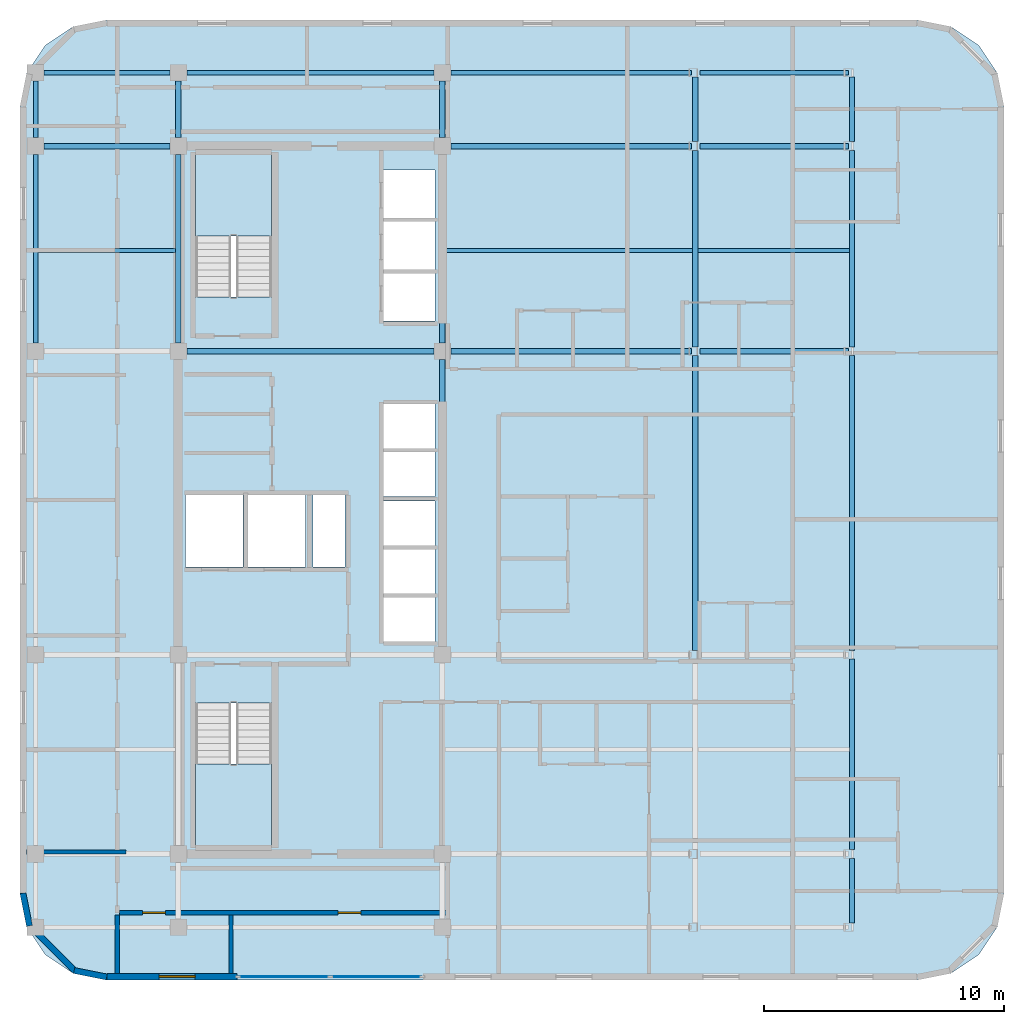
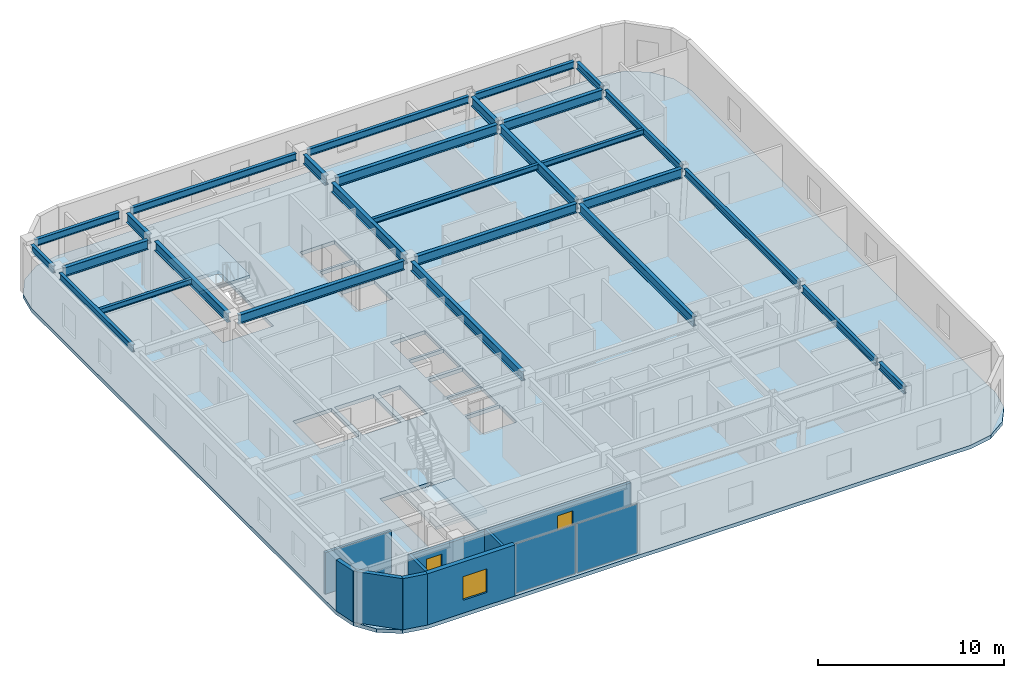
# One storey, part 3 of 9: 28 beams, 8 walls, 3 slabs, 2 doors, 2 plates, 1 window, 3 openings, 3 elements without a shape of their own.
"""IFC4 building model written with IfcOpenShell, lengths in metres."""

from ifc_helpers import new_model, si_unit, direction, frame, frame_2d, origin, origin_2d, place, context, subcontext, project, spatial, polyline, rectangle, i_section, outline, extrude, material, layer, layer_set, material_profile, profile_set, type_object, element, fill, aggregate, save


model = new_model("IFC4")

# Units and contexts
model_context = context("Model", 3, precision=1e-05, world=origin(), true_north=direction((0.0, 1.0)))
body_context = subcontext(model_context, "Body", "Model", "MODEL_VIEW")
ifc_project = project(units=[si_unit("LENGTHUNIT", "METRE"), si_unit("AREAUNIT", "SQUARE_METRE"), si_unit("VOLUMEUNIT", "CUBIC_METRE"), si_unit("PLANEANGLEUNIT", "RADIAN"), si_unit("MASSUNIT", "GRAM", prefix="KILO")], contexts=[model_context])

# Site, building, storey
site_placement = place(None, origin())
site = spatial("IfcSite", under=ifc_project, at=site_placement, CompositionType="ELEMENT")
building_placement = place(site_placement, origin())
building = spatial("IfcBuilding", under=site, at=building_placement, Name="Ochreholt Gables", CompositionType="ELEMENT")
storey_placement = place(building_placement, frame((0.0, 0.0, 162.60009765625)))
storey = spatial("IfcBuildingStorey", under=building, at=storey_placement, Name="L42", CompositionType="ELEMENT", Elevation=162.60009765625)

# Beams
ifc_material_1 = material(Name="Steel CSA G40.21 350W", Category="steel")
ifc_material_profile_1 = material_profile(ifc_material_1, i_section(OverallWidth=0.22900390625, OverallDepth=0.612060546875, WebThickness=0.011962890625, FlangeThickness=0.01953125, at=origin_2d()), Name="W610X125")
ifc_profile_set_1 = profile_set([ifc_material_profile_1], Name="Steel CSA G40.21 350W")
beam_type_1 = type_object("IfcBeamType", Name="BM-G-W610B", PredefinedType="BEAM", material=ifc_profile_set_1)
beam_1_placement = place(storey_placement, frame((24.549560546875, 30.199951171875, 3.053955078125), z_axis=(1.0, 0.0, 0.0), x_axis=(0.0, 1.0, 0.0)))
element("IfcBeam", 1, at=beam_1_placement, inside=storey, type_object=beam_type_1, Name="L42 Beam TBG-L42-C1C2-Y4", PredefinedType="BEAM", context=body_context, shape_type="SweptSolid", body=[
    extrude(i_section(OverallWidth=0.22900390625, OverallDepth=0.612060546875, WebThickness=0.011962890625, FlangeThickness=0.01953125, at=origin_2d()), origin(), (0.0, 0.0, 1.0), 10.30078125),
])
beam_2_placement = place(storey_placement, frame((35.549560546875, 30.199951171875, 3.053955078125), z_axis=(1.0, 0.0, 0.0), x_axis=(0.0, 1.0, 0.0)))
element("IfcBeam", 2, at=beam_2_placement, inside=storey, type_object=beam_type_1, Name="L42 Beam TBG-L42-C2EM-Y4", PredefinedType="BEAM", context=body_context, shape_type="SweptSolid", body=[
    extrude(i_section(OverallWidth=0.22900390625, OverallDepth=0.612060546875, WebThickness=0.011962890625, FlangeThickness=0.01953125, at=origin_2d()), origin(), (0.0, 0.0, 1.0), 10.02587890625),
])
beam_3_placement = place(storey_placement, frame((45.9306640625, 30.199951171875, 3.053955078125), z_axis=(1.0, 0.0, 0.0), x_axis=(0.0, 1.0, 0.0)))
element("IfcBeam", 3, at=beam_3_placement, inside=storey, type_object=beam_type_1, Name="L42 Beam TBG-L42-EMEE-Y4", PredefinedType="BEAM", context=body_context, shape_type="SweptSolid", body=[
    extrude(i_section(OverallWidth=0.22900390625, OverallDepth=0.612060546875, WebThickness=0.011962890625, FlangeThickness=0.01953125, at=origin_2d()), origin(), (0.0, 0.0, 1.0), 6.188232421875),
])
beam_4_placement = place(storey_placement, frame((18.599609375, 38.75, 3.053955078125), z_axis=(1.0, 0.0, 0.0), x_axis=(0.0, 1.0, 0.0)))
element("IfcBeam", 4, at=beam_4_placement, inside=storey, type_object=beam_type_1, Name="L42 Beam TBG-L42-W3C1-Y5", PredefinedType="BEAM", context=body_context, shape_type="SweptSolid", body=[
    extrude(i_section(OverallWidth=0.22900390625, OverallDepth=0.612060546875, WebThickness=0.011962890625, FlangeThickness=0.01953125, at=origin_2d()), origin(), (0.0, 0.0, 1.0), 5.250732421875),
])
beam_5_placement = place(storey_placement, frame((35.549560546875, 38.75, 3.053955078125), z_axis=(1.0, 0.0, 0.0), x_axis=(0.0, 1.0, 0.0)))
element("IfcBeam", 5, at=beam_5_placement, inside=storey, type_object=beam_type_1, Name="L42 Beam TBG-L42-C2EM-Y5", PredefinedType="BEAM", context=body_context, shape_type="SweptSolid", body=[
    extrude(i_section(OverallWidth=0.22900390625, OverallDepth=0.612060546875, WebThickness=0.011962890625, FlangeThickness=0.01953125, at=origin_2d()), origin(), (0.0, 0.0, 1.0), 10.02587890625),
])
beam_6_placement = place(storey_placement, frame((45.9306640625, 38.75, 3.053955078125), z_axis=(1.0, 0.0, 0.0), x_axis=(0.0, 1.0, 0.0)))
element("IfcBeam", 6, at=beam_6_placement, inside=storey, type_object=beam_type_1, Name="L42 Beam TBG-L42-EMEE-Y5", PredefinedType="BEAM", context=body_context, shape_type="SweptSolid", body=[
    extrude(i_section(OverallWidth=0.22900390625, OverallDepth=0.612060546875, WebThickness=0.011962890625, FlangeThickness=0.01953125, at=origin_2d()), origin(), (0.0, 0.0, 1.0), 6.188232421875),
])
beam_7_placement = place(storey_placement, frame((24.199951171875, 30.549560546875, 3.053955078125), z_axis=(0.0, 1.0, 0.0), x_axis=(-1.0, 0.0, 0.0)))
element("IfcBeam", 7, at=beam_7_placement, inside=storey, type_object=beam_type_1, Name="L42 Beam TBN-L42-C1-Y4Y5", PredefinedType="BEAM", context=body_context, shape_type="SweptSolid", body=[
    extrude(i_section(OverallWidth=0.22900390625, OverallDepth=0.612060546875, WebThickness=0.011962890625, FlangeThickness=0.01953125, at=origin_2d()), origin(), (0.0, 0.0, 1.0), 7.850830078125),
])
beam_8_placement = place(storey_placement, frame((24.199951171875, 39.099609375, 3.053955078125), z_axis=(0.0, 1.0, 0.0), x_axis=(-1.0, 0.0, 0.0)))
element("IfcBeam", 8, at=beam_8_placement, inside=storey, type_object=beam_type_1, Name="L42 Beam TBN-L42-C1-Y5Y6", PredefinedType="BEAM", context=body_context, shape_type="SweptSolid", body=[
    extrude(i_section(OverallWidth=0.22900390625, OverallDepth=0.612060546875, WebThickness=0.011962890625, FlangeThickness=0.01953125, at=origin_2d()), origin(), (0.0, 0.0, 1.0), 2.350830078125),
])
beam_9_placement = place(storey_placement, frame((35.199951171875, 17.899658203125, 3.053955078125), z_axis=(0.0, 1.0, 0.0), x_axis=(-1.0, 0.0, 0.0)))
element("IfcBeam", 9, at=beam_9_placement, inside=storey, type_object=beam_type_1, Name="L42 Beam TBN-L42-C2-Y3Y4", PredefinedType="BEAM", context=body_context, shape_type="SweptSolid", body=[
    extrude(i_section(OverallWidth=0.22900390625, OverallDepth=0.612060546875, WebThickness=0.011962890625, FlangeThickness=0.01953125, at=origin_2d()), origin(), (0.0, 0.0, 1.0), 11.95068359375),
])
beam_10_placement = place(storey_placement, frame((35.199951171875, 30.549560546875, 3.053955078125), z_axis=(0.0, 1.0, 0.0), x_axis=(-1.0, 0.0, 0.0)))
element("IfcBeam", 10, at=beam_10_placement, inside=storey, type_object=beam_type_1, Name="L42 Beam TBN-L42-C2-Y4Y5", PredefinedType="BEAM", context=body_context, shape_type="SweptSolid", body=[
    extrude(i_section(OverallWidth=0.22900390625, OverallDepth=0.612060546875, WebThickness=0.011962890625, FlangeThickness=0.01953125, at=origin_2d()), origin(), (0.0, 0.0, 1.0), 7.850830078125),
])
beam_11_placement = place(storey_placement, frame((35.199951171875, 39.099609375, 3.053955078125), z_axis=(0.0, 1.0, 0.0), x_axis=(-1.0, 0.0, 0.0)))
element("IfcBeam", 11, at=beam_11_placement, inside=storey, type_object=beam_type_1, Name="L42 Beam TBN-L42-C2-Y5Y6", PredefinedType="BEAM", context=body_context, shape_type="SweptSolid", body=[
    extrude(i_section(OverallWidth=0.22900390625, OverallDepth=0.612060546875, WebThickness=0.011962890625, FlangeThickness=0.01953125, at=origin_2d()), origin(), (0.0, 0.0, 1.0), 2.350830078125),
])
beam_12_placement = place(storey_placement, frame((45.73583984375, 17.7275390625, 3.053955078125), z_axis=(0.0, 1.0, 0.0), x_axis=(-1.0, 0.0, 0.0)))
element("IfcBeam", 12, at=beam_12_placement, inside=storey, type_object=beam_type_1, Name="L42 Beam TBN-L42-EM-Y3Y4", PredefinedType="BEAM", context=body_context, shape_type="SweptSolid", body=[
    extrude(i_section(OverallWidth=0.22900390625, OverallDepth=0.612060546875, WebThickness=0.011962890625, FlangeThickness=0.01953125, at=origin_2d()), origin(), (0.0, 0.0, 1.0), 12.294921875),
])
beam_13_placement = place(storey_placement, frame((45.73583984375, 30.377685546875, 3.053955078125), z_axis=(0.0, 1.0, 0.0), x_axis=(-1.0, 0.0, 0.0)))
element("IfcBeam", 13, at=beam_13_placement, inside=storey, type_object=beam_type_1, Name="L42 Beam TBN-L42-EM-Y4Y5", PredefinedType="BEAM", context=body_context, shape_type="SweptSolid", body=[
    extrude(i_section(OverallWidth=0.22900390625, OverallDepth=0.612060546875, WebThickness=0.011962890625, FlangeThickness=0.01953125, at=origin_2d()), origin(), (0.0, 0.0, 1.0), 8.19482421875),
])
beam_14_placement = place(storey_placement, frame((45.73583984375, 38.927490234375, 3.053955078125), z_axis=(0.0, 1.0, 0.0), x_axis=(-1.0, 0.0, 0.0)))
element("IfcBeam", 14, at=beam_14_placement, inside=storey, type_object=beam_type_1, Name="L42 Beam TBN-L42-EM-Y5Y6", PredefinedType="BEAM", context=body_context, shape_type="SweptSolid", body=[
    extrude(i_section(OverallWidth=0.22900390625, OverallDepth=0.612060546875, WebThickness=0.011962890625, FlangeThickness=0.01953125, at=origin_2d()), origin(), (0.0, 0.0, 1.0), 2.69482421875),
])
ifc_material_profile_2 = material_profile(ifc_material_1, i_section(OverallWidth=0.172119140625, OverallDepth=0.35791015625, WebThickness=0.0078125, FlangeThickness=0.01318359375, at=origin_2d()), Name="W360X57")
ifc_profile_set_2 = profile_set([ifc_material_profile_2], Name="Steel CSA G40.21 350W")
beam_type_2 = type_object("IfcBeamType", Name="BM-J-W360B", PredefinedType="JOIST", material=ifc_profile_set_2)
beam_15_placement = place(storey_placement, frame((18.345703125, 34.39990234375, 3.180908203125), z_axis=(1.0, 0.0, 0.0), x_axis=(0.0, 1.0, 0.0)))
element("IfcBeam", 15, at=beam_15_placement, inside=storey, type_object=beam_type_2, Name="L42 Beam TBJ-L42-J2-W3C1", PredefinedType="JOIST", context=body_context, shape_type="SweptSolid", body=[
    extrude(i_section(OverallWidth=0.172119140625, OverallDepth=0.35791015625, WebThickness=0.0078125, FlangeThickness=0.01318359375, at=origin_2d()), origin(), (0.0, 0.0, 1.0), 5.740234375),
])
beam_16_placement = place(storey_placement, frame((35.314208984375, 34.39990234375, 3.180908203125), z_axis=(1.0, 0.0, 0.0), x_axis=(0.0, 1.0, 0.0)))
element("IfcBeam", 16, at=beam_16_placement, inside=storey, type_object=beam_type_2, Name="L42 Beam TBJ-L42-J2-C2EM", PredefinedType="JOIST", context=body_context, shape_type="SweptSolid", body=[
    extrude(i_section(OverallWidth=0.172119140625, OverallDepth=0.35791015625, WebThickness=0.0078125, FlangeThickness=0.01318359375, at=origin_2d()), origin(), (0.0, 0.0, 1.0), 10.307373046875),
])
beam_17_placement = place(storey_placement, frame((45.849853515625, 34.39990234375, 3.180908203125), z_axis=(1.0, 0.0, 0.0), x_axis=(0.0, 1.0, 0.0)))
element("IfcBeam", 17, at=beam_17_placement, inside=storey, type_object=beam_type_2, Name="L42 Beam TBJ-L42-J2-EMEE", PredefinedType="JOIST", context=body_context, shape_type="SweptSolid", body=[
    extrude(i_section(OverallWidth=0.172119140625, OverallDepth=0.35791015625, WebThickness=0.0078125, FlangeThickness=0.01318359375, at=origin_2d()), origin(), (0.0, 0.0, 1.0), 6.322509765625),
])
ifc_material_profile_3 = material_profile(ifc_material_1, i_section(OverallWidth=0.19189453125, OverallDepth=0.462890625, WebThickness=0.010498046875, FlangeThickness=0.017578125, at=origin_2d()), Name="W460X89")
ifc_profile_set_3 = profile_set([ifc_material_profile_3], Name="Steel CSA G40.21 350W")
beam_type_3 = type_object("IfcBeamType", Name="BM-SP-W460A", PredefinedType="SPANDREL", material=ifc_profile_set_3)
beam_18_placement = place(storey_placement, frame((18.599609375, 41.800048828125, 3.12841796875), z_axis=(1.0, 0.0, 0.0), x_axis=(0.0, 1.0, 0.0)))
element("IfcBeam", 18, at=beam_18_placement, inside=storey, type_object=beam_type_3, Name="L42 Beam TBG-L42-W3C1-Y6", PredefinedType="SPANDREL", context=body_context, shape_type="SweptSolid", body=[
    extrude(i_section(OverallWidth=0.19189453125, OverallDepth=0.462890625, WebThickness=0.010498046875, FlangeThickness=0.017578125, at=origin_2d()), origin(), (0.0, 0.0, 1.0), 5.250732421875),
])
beam_19_placement = place(storey_placement, frame((24.549560546875, 41.800048828125, 3.12841796875), z_axis=(1.0, 0.0, 0.0), x_axis=(0.0, 1.0, 0.0)))
element("IfcBeam", 19, at=beam_19_placement, inside=storey, type_object=beam_type_3, Name="L42 Beam TBG-L42-C1C2-Y6", PredefinedType="SPANDREL", context=body_context, shape_type="SweptSolid", body=[
    extrude(i_section(OverallWidth=0.19189453125, OverallDepth=0.462890625, WebThickness=0.010498046875, FlangeThickness=0.017578125, at=origin_2d()), origin(), (0.0, 0.0, 1.0), 10.30078125),
])
beam_20_placement = place(storey_placement, frame((35.549560546875, 41.800048828125, 3.12841796875), z_axis=(1.0, 0.0, 0.0), x_axis=(0.0, 1.0, 0.0)))
element("IfcBeam", 20, at=beam_20_placement, inside=storey, type_object=beam_type_3, Name="L42 Beam TBG-L42-C2EM-Y6", PredefinedType="SPANDREL", context=body_context, shape_type="SweptSolid", body=[
    extrude(i_section(OverallWidth=0.19189453125, OverallDepth=0.462890625, WebThickness=0.010498046875, FlangeThickness=0.017578125, at=origin_2d()), origin(), (0.0, 0.0, 1.0), 10.02587890625),
])
beam_21_placement = place(storey_placement, frame((45.9306640625, 41.800048828125, 3.12841796875), z_axis=(1.0, 0.0, 0.0), x_axis=(0.0, 1.0, 0.0)))
element("IfcBeam", 21, at=beam_21_placement, inside=storey, type_object=beam_type_3, Name="L42 Beam TBG-L42-EMEE-Y6", PredefinedType="SPANDREL", context=body_context, shape_type="SweptSolid", body=[
    extrude(i_section(OverallWidth=0.19189453125, OverallDepth=0.462890625, WebThickness=0.010498046875, FlangeThickness=0.017578125, at=origin_2d()), origin(), (0.0, 0.0, 1.0), 6.188232421875),
])
beam_22_placement = place(storey_placement, frame((18.25, 30.549560546875, 3.12841796875), z_axis=(0.0, 1.0, 0.0), x_axis=(-1.0, 0.0, 0.0)))
element("IfcBeam", 22, at=beam_22_placement, inside=storey, type_object=beam_type_3, Name="L42 Beam TBN-L42-W3-Y4Y5", PredefinedType="SPANDREL", context=body_context, shape_type="SweptSolid", body=[
    extrude(i_section(OverallWidth=0.19189453125, OverallDepth=0.462890625, WebThickness=0.010498046875, FlangeThickness=0.017578125, at=origin_2d()), origin(), (0.0, 0.0, 1.0), 7.850830078125),
])
beam_23_placement = place(storey_placement, frame((18.25, 39.099609375, 3.12841796875), z_axis=(0.0, 1.0, 0.0), x_axis=(-1.0, 0.0, 0.0)))
element("IfcBeam", 23, at=beam_23_placement, inside=storey, type_object=beam_type_3, Name="L42 Beam TBN-L42-W3-Y5Y6", PredefinedType="SPANDREL", context=body_context, shape_type="SweptSolid", body=[
    extrude(i_section(OverallWidth=0.19189453125, OverallDepth=0.462890625, WebThickness=0.010498046875, FlangeThickness=0.017578125, at=origin_2d()), origin(), (0.0, 0.0, 1.0), 2.350830078125),
])
beam_24_placement = place(storey_placement, frame((52.26806640625, 6.377685546875, 3.12841796875), z_axis=(0.0, 1.0, 0.0), x_axis=(-1.0, 0.0, 0.0)))
element("IfcBeam", 24, at=beam_24_placement, inside=storey, type_object=beam_type_3, Name="L42 Beam TBN-L42-EE-Y1Y2", PredefinedType="SPANDREL", context=body_context, shape_type="SweptSolid", body=[
    extrude(i_section(OverallWidth=0.19189453125, OverallDepth=0.462890625, WebThickness=0.010498046875, FlangeThickness=0.017578125, at=origin_2d()), origin(), (0.0, 0.0, 1.0), 2.69482421875),
])
beam_25_placement = place(storey_placement, frame((52.26806640625, 9.427490234375, 3.12841796875), z_axis=(0.0, 1.0, 0.0), x_axis=(-1.0, 0.0, 0.0)))
element("IfcBeam", 25, at=beam_25_placement, inside=storey, type_object=beam_type_3, Name="L42 Beam TBN-L42-EE-Y2Y3", PredefinedType="SPANDREL", context=body_context, shape_type="SweptSolid", body=[
    extrude(i_section(OverallWidth=0.19189453125, OverallDepth=0.462890625, WebThickness=0.010498046875, FlangeThickness=0.017578125, at=origin_2d()), origin(), (0.0, 0.0, 1.0), 7.94482421875),
])
beam_26_placement = place(storey_placement, frame((52.26806640625, 17.7275390625, 3.12841796875), z_axis=(0.0, 1.0, 0.0), x_axis=(-1.0, 0.0, 0.0)))
element("IfcBeam", 26, at=beam_26_placement, inside=storey, type_object=beam_type_3, Name="L42 Beam TBN-L42-EE-Y3Y4", PredefinedType="SPANDREL", context=body_context, shape_type="SweptSolid", body=[
    extrude(i_section(OverallWidth=0.19189453125, OverallDepth=0.462890625, WebThickness=0.010498046875, FlangeThickness=0.017578125, at=origin_2d()), origin(), (0.0, 0.0, 1.0), 12.294921875),
])
beam_27_placement = place(storey_placement, frame((52.26806640625, 30.377685546875, 3.12841796875), z_axis=(0.0, 1.0, 0.0), x_axis=(-1.0, 0.0, 0.0)))
element("IfcBeam", 27, at=beam_27_placement, inside=storey, type_object=beam_type_3, Name="L42 Beam TBN-L42-EE-Y4Y5", PredefinedType="SPANDREL", context=body_context, shape_type="SweptSolid", body=[
    extrude(i_section(OverallWidth=0.19189453125, OverallDepth=0.462890625, WebThickness=0.010498046875, FlangeThickness=0.017578125, at=origin_2d()), origin(), (0.0, 0.0, 1.0), 8.19482421875),
])
beam_28_placement = place(storey_placement, frame((52.26806640625, 38.927490234375, 3.12841796875), z_axis=(0.0, 1.0, 0.0), x_axis=(-1.0, 0.0, 0.0)))
element("IfcBeam", 28, at=beam_28_placement, inside=storey, type_object=beam_type_3, Name="L42 Beam TBN-L42-EE-Y5Y6", PredefinedType="SPANDREL", context=body_context, shape_type="SweptSolid", body=[
    extrude(i_section(OverallWidth=0.19189453125, OverallDepth=0.462890625, WebThickness=0.010498046875, FlangeThickness=0.017578125, at=origin_2d()), origin(), (0.0, 0.0, 1.0), 2.69482421875),
])

# Curtain wall, plates
ifc_material_2 = material(Name="Unitised Aluminium and Triple Glazing", Category="aluminium")
ifc_layer_1 = layer(ifc_material_2, 0.199951171875, Name="Unitised Aluminium and Triple Glazing")
ifc_layer_set_1 = layer_set([ifc_layer_1], Name="Unitised Aluminium and Triple Glazing")
curtain_wall_type = type_object("IfcCurtainWallType", Name="CW-SYS4", PredefinedType="NOTDEFINED", material=ifc_layer_set_1)
curtain_wall_placement = place(storey_placement, origin())
curtain_wall = element("IfcCurtainWall", 29, at=curtain_wall_placement, inside=storey, type_object=curtain_wall_type, Name="L42 South Unitised Curtain Wall", PredefinedType="NOTDEFINED")
ifc_material_3 = material(Name="Triple Low-E Insulating Glass", Category="glass")
ifc_layer_2 = layer(ifc_material_3, 0.035888671875, Name="Triple Low-E Insulating Glass")
ifc_layer_set_2 = layer_set([ifc_layer_2], Name="Triple Low-E Insulating Glass")
plate_type = type_object("IfcPlateType", Name="CW-PNL-36", PredefinedType="CURTAIN_PANEL", material=ifc_layer_set_2)
plate_1_placement = place(storey_placement, frame((28.606201171875, 4.139892578125, 0.06494140625), z_axis=(0.0, 0.0, 1.0), x_axis=(1.0, 0.0, 0.0)))
plate_1 = element("IfcPlate", 30, at=plate_1_placement, type_object=plate_type, Name="CW-4 panel 1.1", PredefinedType="CURTAIN_PANEL", context=body_context, shape_type="SweptSolid", body=[
    extrude(rectangle(XDim=3.762451171875, YDim=0.035888671875, at=origin_2d()), origin(), (0.0, 0.0, 1.0), 3.22998046875),
])
plate_2_placement = place(storey_placement, frame((32.44384765625, 4.139892578125, 0.06494140625), z_axis=(0.0, 0.0, 1.0), x_axis=(1.0, 0.0, 0.0)))
plate_2 = element("IfcPlate", 31, at=plate_2_placement, type_object=plate_type, Name="CW-4 panel 2.1", PredefinedType="CURTAIN_PANEL", context=body_context, shape_type="SweptSolid", body=[
    extrude(rectangle(XDim=3.762451171875, YDim=0.035888671875, at=origin_2d()), origin(), (0.0, 0.0, 1.0), 3.22998046875),
])
aggregate(curtain_wall, [plate_1, plate_2])

# Stair, slab
ifc_material_4 = material(Name="Concrete 40 MPa", Category="concrete")
stair_type_1 = type_object("IfcStairType", Name="STAIR-CORE-ST-1", PredefinedType="HALF_TURN_STAIR", material=ifc_material_4)
stair_1_placement = place(storey_placement, origin())
stair_1 = element("IfcStair", 32, at=stair_1_placement, inside=storey, type_object=stair_type_1, Name="L42 Core Exit Stair 1", PredefinedType="HALF_TURN_STAIR")
ifc_layer_3 = layer(ifc_material_4, 0.199951171875, Name="Concrete 40 MPa")
ifc_layer_set_3 = layer_set([ifc_layer_3], Name="Concrete 40 MPa")
slab_type_1 = type_object("IfcSlabType", Name="LANDING-RC200", PredefinedType="LANDING", material=ifc_layer_set_3)
slab_1_placement = place(storey_placement, frame((0.0, 0.0, 1.599853515625)))
slab_1 = element("IfcSlab", 33, at=slab_1_placement, type_object=slab_type_1, Name="ST-1 landing 1", PredefinedType="LANDING", context=body_context, shape_type="SweptSolid", body=[
    extrude(outline(polyline([(24.919921875, 13.001953125), (24.919921875, 9.52001953125), (28.080078125, 9.52001953125), (28.080078125, 13.001953125), (24.919921875, 13.001953125)])), origin(), (0.0, 0.0, 1.0), 0.199951171875),
])
aggregate(stair_1, [slab_1])

stair_type_2 = type_object("IfcStairType", Name="STAIR-CORE-ST-2", PredefinedType="HALF_TURN_STAIR", material=ifc_material_4)
stair_2_placement = place(storey_placement, origin())
stair_2 = element("IfcStair", 34, at=stair_2_placement, inside=storey, type_object=stair_type_2, Name="L42 Core Exit Stair 2", PredefinedType="HALF_TURN_STAIR")
slab_2_placement = place(storey_placement, frame((0.0, 0.0, 1.599853515625)))
slab_2 = element("IfcSlab", 35, at=slab_2_placement, type_object=slab_type_1, Name="ST-2 landing 1", PredefinedType="LANDING", context=body_context, shape_type="SweptSolid", body=[
    extrude(outline(polyline([(28.080078125, 34.998046875), (28.080078125, 38.47998046875), (24.919921875, 38.47998046875), (24.919921875, 34.998046875), (28.080078125, 34.998046875)])), origin(), (0.0, 0.0, 1.0), 0.199951171875),
])
aggregate(stair_2, [slab_2])

# Slab
ifc_layer_4 = layer(ifc_material_4, 0.239990234375, Name="Concrete 40 MPa")
ifc_layer_set_4 = layer_set([ifc_layer_4], Name="Concrete 40 MPa")
slab_type_2 = type_object("IfcSlabType", Name="SLAB-TWR-240", PredefinedType="FLOOR", material=ifc_layer_set_4)
slab_3_placement = place(storey_placement, frame((0.0, 0.0, -0.239990234375)))
element("IfcSlab", 36, at=slab_3_placement, inside=storey, type_object=slab_type_2, Name="L42 Structural Floor Slab", PredefinedType="FLOOR", context=body_context, shape_type="SweptSolid", body=[
    extrude(outline(polyline([(17.60009765625, 7.60009765625), (17.8740234375, 6.222412109375), (18.654296875, 5.054443359375), (19.822265625, 4.27392578125), (21.199951171875, 4.0), (55.0, 4.0), (56.377685546875, 4.27392578125), (57.545654296875, 5.054443359375), (58.325927734375, 6.222412109375), (58.60009765625, 7.60009765625), (58.60009765625, 40.39990234375), (58.325927734375, 41.777587890625), (57.545654296875, 42.945556640625), (56.377685546875, 43.72607421875), (55.0, 44.0), (21.199951171875, 44.0), (19.822265625, 43.72607421875), (18.654296875, 42.945556640625), (17.8740234375, 41.777587890625), (17.60009765625, 40.39990234375), (17.60009765625, 7.60009765625)]), holes=[polyline([(24.919921875, 15.539306640625), (24.919921875, 9.52001953125), (28.080078125, 9.52001953125), (28.080078125, 15.539306640625), (24.919921875, 15.539306640625)]), polyline([(28.080078125, 32.460693359375), (28.080078125, 38.47998046875), (24.919921875, 38.47998046875), (24.919921875, 32.460693359375), (28.080078125, 32.460693359375)]), polyline([(24.5, 21.199951171875), (26.89990234375, 21.199951171875), (26.89990234375, 24.199951171875), (24.5, 24.199951171875), (24.5, 21.199951171875)]), polyline([(27.10009765625, 21.199951171875), (29.5, 21.199951171875), (29.5, 24.199951171875), (27.10009765625, 24.199951171875), (27.10009765625, 21.199951171875)]), polyline([(32.75, 18.10009765625), (34.89990234375, 18.10009765625), (34.89990234375, 19.949951171875), (32.75, 19.949951171875), (32.75, 18.10009765625)]), polyline([(32.75, 20.10009765625), (34.89990234375, 20.10009765625), (34.89990234375, 21.949951171875), (32.75, 21.949951171875), (32.75, 20.10009765625)]), polyline([(32.75, 22.10009765625), (34.89990234375, 22.10009765625), (34.89990234375, 23.949951171875), (32.75, 23.949951171875), (32.75, 22.10009765625)]), polyline([(32.75, 24.14990234375), (34.89990234375, 24.14990234375), (34.89990234375, 26.0), (32.75, 26.0), (32.75, 24.14990234375)]), polyline([(32.75, 26.14990234375), (34.89990234375, 26.14990234375), (34.89990234375, 28.0), (32.75, 28.0), (32.75, 26.14990234375)]), polyline([(32.75, 31.449951171875), (34.89990234375, 31.449951171875), (34.89990234375, 33.449951171875), (32.75, 33.449951171875), (32.75, 31.449951171875)]), polyline([(32.75, 33.60009765625), (34.89990234375, 33.60009765625), (34.89990234375, 35.60009765625), (32.75, 35.60009765625), (32.75, 33.60009765625)]), polyline([(32.75, 35.75), (34.89990234375, 35.75), (34.89990234375, 37.75), (32.75, 37.75), (32.75, 35.75)]), polyline([(29.800048828125, 21.199951171875), (31.14990234375, 21.199951171875), (31.14990234375, 24.199951171875), (29.800048828125, 24.199951171875), (29.800048828125, 21.199951171875)])]), origin(), (0.0, 0.0, 1.0), 0.239990234375),
])

# Wall, opening, window
ifc_material_5 = material(Name="Precast concrete 40 MPa", Category="concrete")
ifc_layer_5 = layer(ifc_material_5, 0.280029296875, Name="Precast concrete 40 MPa")
ifc_layer_set_5 = layer_set([ifc_layer_5], Name="Precast concrete 40 MPa")
wall_type_1 = type_object("IfcWallType", Name="WALL-EXT-280", PredefinedType="SOLIDWALL", material=ifc_layer_set_5)
wall_1_placement = place(storey_placement, frame((21.219970703125, 4.139892578125, 0.0), z_axis=(0.0, 0.0, 1.0), x_axis=(1.0, 0.0, 0.0)))
wall_1 = element("IfcWall", 37, at=wall_1_placement, inside=storey, type_object=wall_type_1, Name="L42 South Facade Wall 1", PredefinedType="SOLIDWALL", context=body_context, shape_type="SweptSolid", body=[
    extrude(rectangle(XDim=5.429931640625, YDim=0.280029296875, at=frame_2d((2.71484375, 0.0))), origin(), (0.0, 0.0, 1.0), 3.35986328125),
])
opening_1_placement = place(wall_1_placement, frame((2.179931640625, 0.0, 0.85009765625)))
opening_1 = element("IfcOpeningElement", 38, at=opening_1_placement, cuts=wall_1, Name="Opening WN-2", PredefinedType="OPENING", context=body_context, shape_type="SweptSolid", body=[
    extrude(rectangle(XDim=1.5, YDim=1.550048828125, at=frame_2d((0.75, 0.77490234375))), frame((0.0, 0.14990234375, 0.0), z_axis=(0.0, -1.0, 0.0), x_axis=(1.0, 0.0, 0.0)), (0.0, 0.0, 1.0), 0.300048828125),
])
ifc_material_6 = material(Name="Triple-Glazed Thermally Broken Aluminium Window", Category="aluminium")
window_type = type_object("IfcWindowType", Name="WIN-RES-1500", PartitioningType="SINGLE_PANEL", PredefinedType="WINDOW", material=ifc_material_6)
window_placement = place(opening_1_placement, origin())
window = element("IfcWindow", 39, at=window_placement, inside=storey, type_object=window_type, Name="L42 Window W-EXT-S1-L42-1", OverallHeight=1.550048828125, OverallWidth=1.5, PartitioningType="SINGLE_PANEL", PredefinedType="WINDOW", context=body_context, shape_type="SweptSolid", body=[
    extrude(rectangle(XDim=1.5, YDim=1.550048828125, at=frame_2d((0.75, 0.77490234375))), frame((0.0, 0.030029296875, 0.0), z_axis=(0.0, -1.0, 0.0), x_axis=(1.0, 0.0, 0.0)), (0.0, 0.0, 1.0), 0.06005859375),
])
fill(opening_1, window)

# Walls
ifc_layer_6 = layer(ifc_material_5, 0.25, Name="Precast concrete 40 MPa")
ifc_layer_set_6 = layer_set([ifc_layer_6], Name="Precast concrete 40 MPa")
wall_type_2 = type_object("IfcWallType", Name="WALL-EXT-CNR", PredefinedType="SOLIDWALL", material=ifc_layer_set_6)
wall_2_placement = place(storey_placement, frame((17.72412109375, 7.616455078125, 0.0), z_axis=(0.0, 0.0, 1.0), x_axis=(0.195135625965, -0.9807762678, 0.0)))
element("IfcWall", 40, at=wall_2_placement, inside=storey, type_object=wall_type_2, Name="L42 Rounded Corner Wall SW-1", PredefinedType="SOLIDWALL", context=body_context, shape_type="SweptSolid", body=[
    extrude(rectangle(XDim=1.388671875, YDim=0.25, at=frame_2d((0.6943359375, 0.0))), origin(), (0.0, 0.0, 1.0), 3.35986328125),
])
wall_3_placement = place(storey_placement, frame((17.968017578125, 6.304931640625, 0.0), z_axis=(0.0, 0.0, 1.0), x_axis=(0.707106781187, -0.707106781187, 0.0)))
element("IfcWall", 41, at=wall_3_placement, inside=storey, type_object=wall_type_2, Name="L42 Rounded Corner Wall SW-2", PredefinedType="SOLIDWALL", context=body_context, shape_type="SweptSolid", body=[
    extrude(rectangle(XDim=2.7392578125, YDim=0.25, at=frame_2d((1.36962890625, 0.0))), origin(), (0.0, 0.0, 1.0), 3.35986328125),
])
wall_4_placement = place(storey_placement, frame((19.8544921875, 4.39501953125, 0.0), z_axis=(0.0, 0.0, 1.0), x_axis=(0.980809899341, -0.19496651342, 0.0)))
element("IfcWall", 42, at=wall_4_placement, inside=storey, type_object=wall_type_2, Name="L42 Rounded Corner Wall SW-3", PredefinedType="SOLIDWALL", context=body_context, shape_type="SweptSolid", body=[
    extrude(rectangle(XDim=1.388671875, YDim=0.25, at=frame_2d((0.6943359375, 0.0))), origin(), (0.0, 0.0, 1.0), 3.35986328125),
])

# Wall, openings, doors
ifc_material_7 = material(Name="Fire-Rated Gypsum Acoustic Partition", Category="gypsum")
ifc_layer_7 = layer(ifc_material_7, 0.179931640625, Name="Fire-Rated Gypsum Acoustic Partition")
ifc_layer_set_7 = layer_set([ifc_layer_7], Name="Fire-Rated Gypsum Acoustic Partition")
wall_type_3 = type_object("IfcWallType", Name="WALL-INT-CR180", PredefinedType="STANDARD", material=ifc_layer_set_7)
wall_5_placement = place(storey_placement, frame((21.739990234375, 6.800048828125, 0.0), z_axis=(0.0, 0.0, 1.0), x_axis=(1.0, 0.0, 0.0)))
wall_5 = element("IfcWall", 43, at=wall_5_placement, inside=storey, type_object=wall_type_3, Name="L42 Interior Wall WI-C2WCS-L42", PredefinedType="STANDARD", context=body_context, shape_type="SweptSolid", body=[
    extrude(rectangle(XDim=13.679931640625, YDim=0.179931640625, at=frame_2d((6.83984375, 0.0))), origin(), (0.0, 0.0, 1.0), 2.72998046875),
])
opening_2_placement = place(wall_5_placement, frame((0.969970703125, 0.0, 0.0)))
opening_2 = element("IfcOpeningElement", 44, at=opening_2_placement, cuts=wall_5, Name="Opening D-GN1", PredefinedType="OPENING", context=body_context, shape_type="SweptSolid", body=[
    extrude(rectangle(XDim=0.949951171875, YDim=2.14990234375, at=frame_2d((0.47509765625, 1.074951171875))), frame((0.0, 0.099853515625, 0.0), z_axis=(0.0, -1.0, 0.0), x_axis=(1.0, 0.0, 0.0)), (0.0, 0.0, 1.0), 0.199951171875),
])
opening_3_placement = place(wall_5_placement, frame((9.110107421875, 0.0, 0.0)))
opening_3 = element("IfcOpeningElement", 45, at=opening_3_placement, cuts=wall_5, Name="Opening D-GN1", PredefinedType="OPENING", context=body_context, shape_type="SweptSolid", body=[
    extrude(rectangle(XDim=0.949951171875, YDim=2.14990234375, at=frame_2d((0.47509765625, 1.074951171875))), frame((0.0, 0.099853515625, 0.0), z_axis=(0.0, -1.0, 0.0), x_axis=(1.0, 0.0, 0.0)), (0.0, 0.0, 1.0), 0.199951171875),
])
ifc_material_8 = material(Name="Engineered Oak Timber", Category="wood")
door_type = type_object("IfcDoorType", Name="DR-INT-GEN950", OperationType="NOTDEFINED", PredefinedType="DOOR", material=ifc_material_8)
door_1_placement = place(opening_2_placement, origin())
door_1 = element("IfcDoor", 46, at=door_1_placement, inside=storey, type_object=door_type, Name="L42 Door D-C2STL1-L42", OperationType="SINGLE_SWING_LEFT", OverallHeight=2.14990234375, OverallWidth=0.949951171875, PredefinedType="DOOR", context=body_context, shape_type="SweptSolid", body=[
    extrude(rectangle(XDim=0.949951171875, YDim=2.14990234375, at=frame_2d((0.47509765625, 1.074951171875))), frame((0.0, 0.02490234375, 0.0), z_axis=(0.0, -1.0, 0.0), x_axis=(1.0, 0.0, 0.0)), (0.0, 0.0, 1.0), 0.050048828125),
])
fill(opening_2, door_1)
door_2_placement = place(opening_3_placement, origin())
door_2 = element("IfcDoor", 47, at=door_2_placement, inside=storey, type_object=door_type, Name="L42 Door D-C2STL2-L42", OperationType="SINGLE_SWING_RIGHT", OverallHeight=2.14990234375, OverallWidth=0.949951171875, PredefinedType="DOOR", context=body_context, shape_type="SweptSolid", body=[
    extrude(rectangle(XDim=0.949951171875, YDim=2.14990234375, at=frame_2d((0.47509765625, 1.074951171875))), frame((0.0, 0.02490234375, 0.0), z_axis=(0.0, -1.0, 0.0), x_axis=(1.0, 0.0, 0.0)), (0.0, 0.0, 1.0), 0.050048828125),
])
fill(opening_3, door_2)

# Walls
ifc_material_9 = material(Name="Double-Stud Acoustic Demising Wall", Category="gypsum")
ifc_layer_8 = layer(ifc_material_9, 0.179931640625, Name="Double-Stud Acoustic Demising Wall")
ifc_layer_set_8 = layer_set([ifc_layer_8], Name="Double-Stud Acoustic Demising Wall")
wall_type_4 = type_object("IfcWallType", Name="WALL-INT-DM180", PredefinedType="PARTITIONING", material=ifc_layer_set_8)
wall_6_placement = place(storey_placement, frame((21.64990234375, 4.280029296875, 0.0), z_axis=(0.0, 0.0, 1.0), x_axis=(0.0, 1.0, 0.0)))
element("IfcWall", 48, at=wall_6_placement, inside=storey, type_object=wall_type_4, Name="L42 Interior Wall WI-C2WWS-L42", PredefinedType="PARTITIONING", context=body_context, shape_type="SweptSolid", body=[
    extrude(rectangle(XDim=2.429931640625, YDim=0.179931640625, at=frame_2d((1.21484375, 0.0))), origin(), (0.0, 0.0, 1.0), 2.87890625),
])
ifc_material_10 = material(Name="Gypsum Acoustic Stud Partition", Category="gypsum")
ifc_layer_9 = layer(ifc_material_10, 0.1650390625, Name="Gypsum Acoustic Stud Partition")
ifc_layer_set_9 = layer_set([ifc_layer_9], Name="Gypsum Acoustic Stud Partition")
wall_type_5 = type_object("IfcWallType", Name="WALL-INT-PT165", PredefinedType="PARTITIONING", material=ifc_layer_set_9)
wall_7_placement = place(storey_placement, frame((17.8798828125, 9.324951171875, 0.0), z_axis=(0.0, 0.0, 1.0), x_axis=(1.0, 0.0, 0.0)))
element("IfcWall", 49, at=wall_7_placement, inside=storey, type_object=wall_type_5, Name="L42 Interior Wall WU-L42W1-SDV", PredefinedType="PARTITIONING", context=body_context, shape_type="SweptSolid", body=[
    extrude(rectangle(XDim=4.130126953125, YDim=0.1650390625, at=frame_2d((2.06494140625, 0.0))), origin(), (0.0, 0.0, 1.0), 2.72998046875),
])
wall_8_placement = place(storey_placement, frame((26.39990234375, 4.280029296875, 0.0), z_axis=(0.0, 0.0, 1.0), x_axis=(0.0, 1.0, 0.0)))
element("IfcWall", 50, at=wall_8_placement, inside=storey, type_object=wall_type_5, Name="L42 Interior Wall WI-C2PKS-L42", PredefinedType="PARTITIONING", context=body_context, shape_type="SweptSolid", body=[
    extrude(rectangle(XDim=2.429931640625, YDim=0.1650390625, at=frame_2d((1.21484375, 0.0))), origin(), (0.0, 0.0, 1.0), 2.87890625),
])

save(model, "model.ifc")
